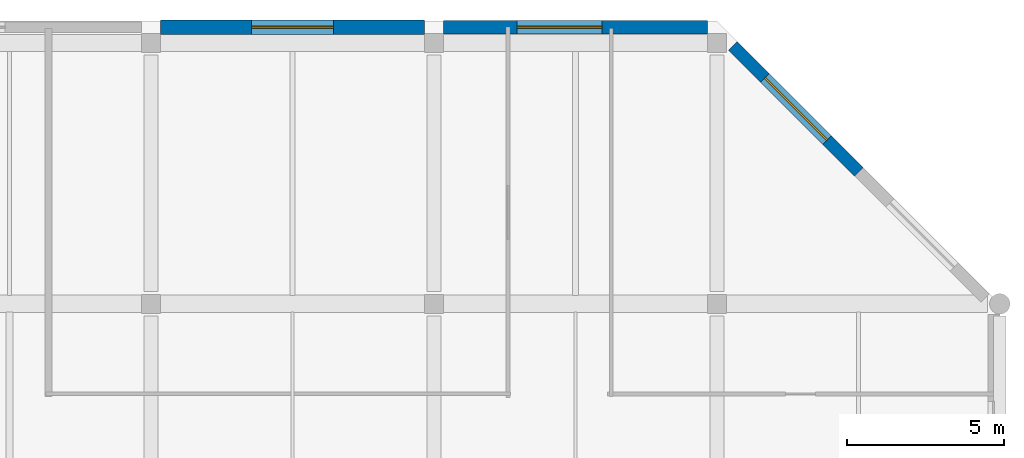
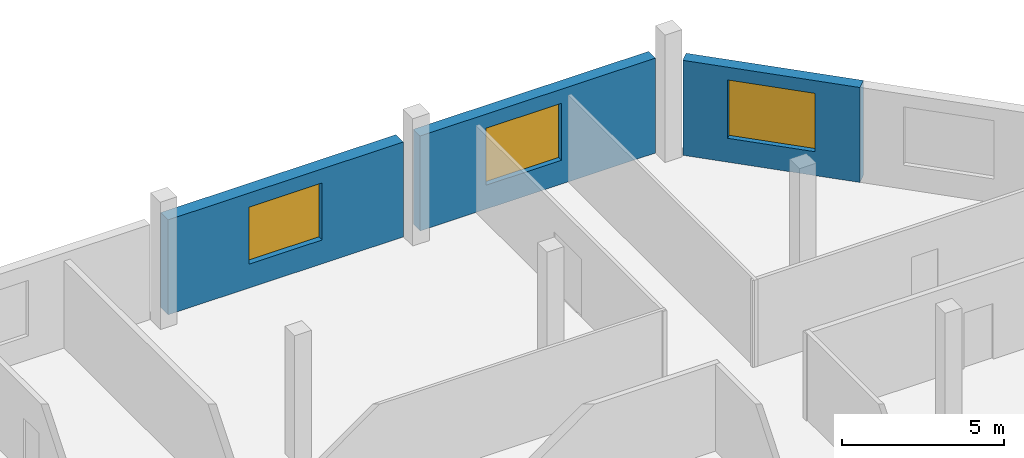
# One storey, part 71 of 100: 3 walls, 3 windows, 3 openings.
"""IFC4 building model written with IfcOpenShell, lengths in metres."""

from ifc_helpers import new_model, si_unit, direction, frame, frame_2d, origin, place, context, subcontext, project, spatial, rectangle, extrude, material, layer, layer_set, type_object, element, fill, save


model = new_model("IFC4")

# Units and contexts
model_context = context("Model", 3, precision=1e-05, world=origin(), true_north=direction((0.0, 1.0)))
body_context = subcontext(model_context, "Body", "Model", "MODEL_VIEW")
ifc_project = project(units=[si_unit("LENGTHUNIT", "METRE"), si_unit("AREAUNIT", "SQUARE_METRE"), si_unit("VOLUMEUNIT", "CUBIC_METRE"), si_unit("PLANEANGLEUNIT", "RADIAN"), si_unit("MASSUNIT", "GRAM", prefix="KILO"), si_unit("THERMODYNAMICTEMPERATUREUNIT", "KELVIN"), si_unit("POWERUNIT", "WATT")], contexts=[model_context])

# Site, building, storey
site_placement = place(None, origin())
site = spatial("IfcSite", under=ifc_project, at=site_placement, CompositionType="ELEMENT")
building_placement = place(site_placement, origin())
building = spatial("IfcBuilding", under=site, at=building_placement, Name="Sindhuravela Promenade Stadium", CompositionType="ELEMENT")
storey_placement = place(building_placement, frame((0.0, 0.0, 4.800048828125)))
storey = spatial("IfcBuildingStorey", under=building, at=storey_placement, Name="L01", CompositionType="ELEMENT", Elevation=4.800048828125)

# Wall, opening, window
ifc_material_1 = material(Name="Terracotta clay brick masonry (15 MPa)", Category="masonry")
ifc_layer_1 = layer(ifc_material_1, 0.39990234375)
ifc_layer_set_1 = layer_set([ifc_layer_1], Name="Terracotta clay brick masonry (15 MPa)")
wall_type_1 = type_object("IfcWallType", Name="EX-WL-BRK400", PredefinedType="SOLIDWALL", material=ifc_layer_set_1)
wall_1_placement = place(storey_placement, frame((207.51220703125, 161.205078125, 0.0), z_axis=(0.0, 0.0, 1.0), x_axis=(0.7070852496391992, -0.7071283120782759, 0.0)))
wall_1 = element("IfcWall", 1, at=wall_1_placement, inside=storey, type_object=wall_type_1, Name="Exterior masonry wall EW03 Pavilion NE L01", PredefinedType="SOLIDWALL", context=body_context, shape_type="SweptSolid", body=[
    extrude(rectangle(XDim=5.66943359375, YDim=0.39990234375, at=frame_2d((2.834716796875, 0.0))), origin(), (0.0, 0.0, 1.0), 3.579833984375),
])
opening_1_placement = place(wall_1_placement, frame((1.434814453125, 0.0, 0.89990234375)))
opening_1 = element("IfcOpeningElement", 2, at=opening_1_placement, cuts=wall_1, Name="Opening W18", PredefinedType="OPENING", context=body_context, shape_type="SweptSolid", body=[
    extrude(rectangle(XDim=2.800048828125, YDim=2.199951171875, at=frame_2d((1.39990234375, 1.10009765625))), frame((0.0, 0.2099609375, 0.0), z_axis=(0.0, -1.0, 0.0), x_axis=(1.0, 0.0, 0.0)), (0.0, 0.0, 1.0), 0.419921875),
])
ifc_material_2 = material(Name="Tempered laminated low-E glass", Category="glass")
window_type_1 = type_object("IfcWindowType", Name="WN-FAC-2800x2200", PartitioningType="DOUBLE_PANEL_VERTICAL", PredefinedType="WINDOW", material=ifc_material_2)
window_1_placement = place(opening_1_placement, origin())
window_1 = element("IfcWindow", 3, at=window_1_placement, inside=storey, type_object=window_type_1, Name="Window W18 Pavilion NE L01", OverallHeight=2.199951171875, OverallWidth=2.800048828125, PartitioningType="DOUBLE_PANEL_VERTICAL", PredefinedType="WINDOW", context=body_context, shape_type="SweptSolid", body=[
    extrude(rectangle(XDim=2.800048828125, YDim=2.199951171875, at=frame_2d((1.39990234375, 1.10009765625))), frame((0.0, 0.030029296875, 0.0), z_axis=(0.0, -1.0, 0.0), x_axis=(1.0, 0.0, 0.0)), (0.0, 0.0, 1.0), 0.06005859375),
])
fill(opening_1, window_1)

ifc_layer_2 = layer(ifc_material_1, 0.419921875)
ifc_layer_set_2 = layer_set([ifc_layer_2], Name="Terracotta clay brick masonry (15 MPa)")
wall_type_2 = type_object("IfcWallType", Name="EX-WL-BRK420", PredefinedType="SOLIDWALL", material=ifc_layer_set_2)
wall_2_placement = place(storey_placement, frame((198.304931640625, 161.800048828125, 0.0), z_axis=(0.0, 0.0, 1.0), x_axis=(1.0, 0.0, 0.0)))
wall_2 = element("IfcWall", 4, at=wall_2_placement, inside=storey, type_object=wall_type_2, Name="Exterior masonry wall EW02 Pavilion NE L01", PredefinedType="SOLIDWALL", context=body_context, shape_type="SweptSolid", body=[
    extrude(rectangle(XDim=8.39013671875, YDim=0.419921875, at=frame_2d((4.195068359375, 0.0))), origin(), (0.0, 0.0, 1.0), 3.579833984375),
])
opening_2_placement = place(wall_2_placement, frame((2.344970703125, 0.0, 0.89990234375)))
opening_2 = element("IfcOpeningElement", 5, at=opening_2_placement, cuts=wall_2, Name="Opening W17", PredefinedType="OPENING", context=body_context, shape_type="SweptSolid", body=[
    extrude(rectangle(XDim=2.699951171875, YDim=2.14990234375, at=frame_2d((1.35009765625, 1.074951171875))), frame((0.0, 0.219970703125, 0.0), z_axis=(0.0, -1.0, 0.0), x_axis=(1.0, 0.0, 0.0)), (0.0, 0.0, 1.0), 0.43994140625),
])
window_type_2 = type_object("IfcWindowType", Name="WN-FAC-2700x2150", PartitioningType="DOUBLE_PANEL_VERTICAL", PredefinedType="WINDOW", material=ifc_material_2)
window_2_placement = place(opening_2_placement, origin())
window_2 = element("IfcWindow", 6, at=window_2_placement, inside=storey, type_object=window_type_2, Name="Window W17 Pavilion NE L01", OverallHeight=2.14990234375, OverallWidth=2.699951171875, PartitioningType="DOUBLE_PANEL_VERTICAL", PredefinedType="WINDOW", context=body_context, shape_type="SweptSolid", body=[
    extrude(rectangle(XDim=2.699951171875, YDim=2.14990234375, at=frame_2d((1.35009765625, 1.074951171875))), frame((0.0, 0.030029296875, 0.0), z_axis=(0.0, -1.0, 0.0), x_axis=(1.0, 0.0, 0.0)), (0.0, 0.0, 1.0), 0.06005859375),
])
fill(opening_2, window_2)

ifc_layer_3 = layer(ifc_material_1, 0.4599609375)
ifc_layer_set_3 = layer_set([ifc_layer_3], Name="Terracotta clay brick masonry (15 MPa)")
wall_type_3 = type_object("IfcWallType", Name="EX-WL-BRK460", PredefinedType="SOLIDWALL", material=ifc_layer_set_3)
wall_3_placement = place(storey_placement, frame((189.304931640625, 161.800048828125, 0.0), z_axis=(0.0, 0.0, 1.0), x_axis=(1.0, 0.0, 0.0)))
wall_3 = element("IfcWall", 7, at=wall_3_placement, inside=storey, type_object=wall_type_3, Name="Exterior masonry wall EW01 Pavilion NE L01", PredefinedType="SOLIDWALL", context=body_context, shape_type="SweptSolid", body=[
    extrude(rectangle(XDim=8.39013671875, YDim=0.4599609375, at=frame_2d((4.195068359375, 0.0))), origin(), (0.0, 0.0, 1.0), 3.579833984375),
])
opening_3_placement = place(wall_3_placement, frame((2.89501953125, 0.0, 0.89990234375)))
opening_3 = element("IfcOpeningElement", 8, at=opening_3_placement, cuts=wall_3, Name="Opening W16", PredefinedType="OPENING", context=body_context, shape_type="SweptSolid", body=[
    extrude(rectangle(XDim=2.60009765625, YDim=2.14990234375, at=frame_2d((1.300048828125, 1.074951171875))), frame((0.0, 0.239990234375, 0.0), z_axis=(0.0, -1.0, 0.0), x_axis=(1.0, 0.0, 0.0)), (0.0, 0.0, 1.0), 0.47998046875),
])
window_type_3 = type_object("IfcWindowType", Name="WN-FAC-2600x2150", PartitioningType="DOUBLE_PANEL_VERTICAL", PredefinedType="WINDOW", material=ifc_material_2)
window_3_placement = place(opening_3_placement, origin())
window_3 = element("IfcWindow", 9, at=window_3_placement, inside=storey, type_object=window_type_3, Name="Window W16 Pavilion NE L01", OverallHeight=2.14990234375, OverallWidth=2.60009765625, PartitioningType="DOUBLE_PANEL_VERTICAL", PredefinedType="WINDOW", context=body_context, shape_type="SweptSolid", body=[
    extrude(rectangle(XDim=2.60009765625, YDim=2.14990234375, at=frame_2d((1.300048828125, 1.074951171875))), frame((0.0, 0.030029296875, 0.0), z_axis=(0.0, -1.0, 0.0), x_axis=(1.0, 0.0, 0.0)), (0.0, 0.0, 1.0), 0.06005859375),
])
fill(opening_3, window_3)

save(model, "model.ifc")
